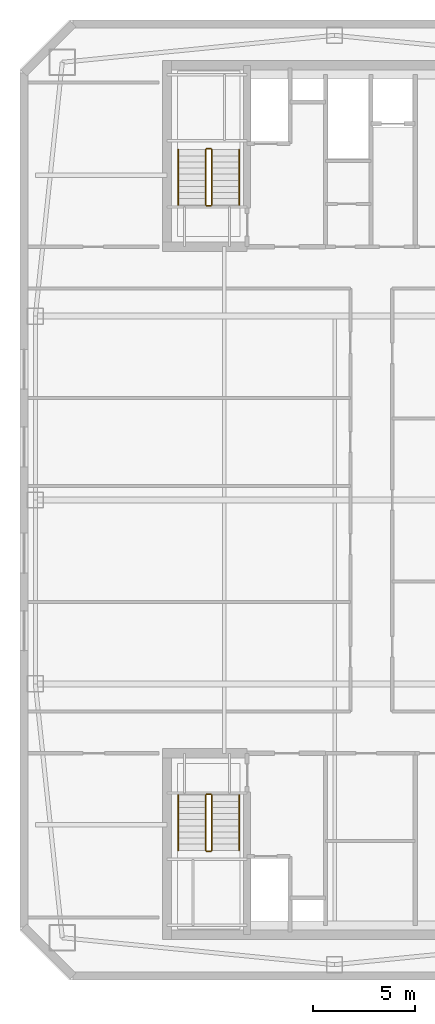
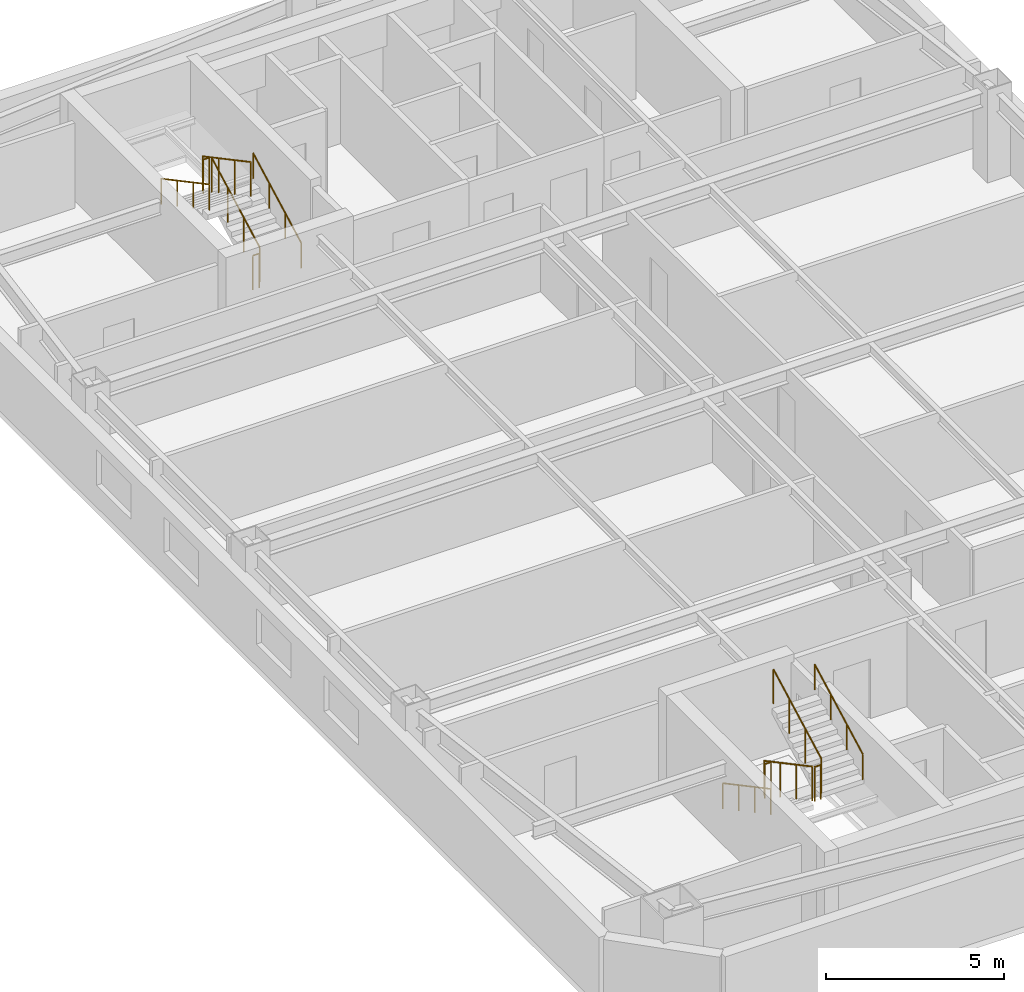
# One storey, part 5 of 5: 12 railings.
"""IFC4 building model written with IfcOpenShell, lengths in metres."""

from ifc_helpers import new_model, si_unit, direction, frame, origin, origin_2d, place, context, subcontext, project, spatial, circle, extrude, material, type_object, element, save


model = new_model("IFC4")

# Units and contexts
model_context = context("Model", 3, precision=1e-05, world=origin(), true_north=direction((0.0, 1.0)))
body_context = subcontext(model_context, "Body", "Model", "MODEL_VIEW")
ifc_project = project(units=[si_unit("LENGTHUNIT", "METRE"), si_unit("AREAUNIT", "SQUARE_METRE"), si_unit("VOLUMEUNIT", "CUBIC_METRE"), si_unit("PLANEANGLEUNIT", "RADIAN"), si_unit("MASSUNIT", "GRAM", prefix="KILO")], contexts=[model_context])

# Site, building, storey
site_placement = place(None, origin())
site = spatial("IfcSite", under=ifc_project, at=site_placement, CompositionType="ELEMENT")
building_placement = place(site_placement, origin())
building = spatial("IfcBuilding", under=site, at=building_placement, Name="Qiaolan Cultural Towers", CompositionType="ELEMENT")
storey_placement = place(building_placement, frame((0.0, 0.0, 253.60009765625)))
storey = spatial("IfcBuildingStorey", under=building, at=storey_placement, Name="L69", CompositionType="ELEMENT", Elevation=253.60009765625)

# Railings
ifc_material_1 = material(Name="Galvanized Painted Steel Stair Guardrail", Category="steel")
railing_type_1 = type_object("IfcRailingType", Name="RL-STAIR-GRD", PredefinedType="GUARDRAIL", material=ifc_material_1)
railing_1_placement = place(storey_placement, frame((23.68994140625, 19.550048828125, 0.159912109375)))
element("IfcRailing", 1, at=railing_1_placement, inside=storey, type_object=railing_type_1, Name="L69 ST-W1 stair guard 1", PredefinedType="GUARDRAIL", context=body_context, shape_type="SweptSolid", body=[
    extrude(circle(Radius=0.02392578125, at=origin_2d()), frame((0.0, 0.0, 1.17578125), z_axis=(0.0, -0.882357358376, 0.470579952952), x_axis=(1.0, 0.0, 0.0)), (0.0, 0.0, 1.0), 3.059814453125),
    extrude(circle(Radius=0.02099609375, at=origin_2d()), origin(), (0.0, 0.0, 1.0), 1.15185546875),
    extrude(circle(Radius=0.02099609375, at=origin_2d()), frame((0.0, -0.89990234375, 0.47998046875)), (0.0, 0.0, 1.0), 1.15185546875),
    extrude(circle(Radius=0.02099609375, at=origin_2d()), frame((0.0, -1.800048828125, 0.9599609375)), (0.0, 0.0, 1.0), 1.15185546875),
    extrude(circle(Radius=0.02099609375, at=origin_2d()), frame((0.0, -2.699951171875, 1.43994140625)), (0.0, 0.0, 1.0), 1.15185546875),
])
railing_2_placement = place(storey_placement, frame((23.739990234375, 16.800048828125, 1.599853515625)))
element("IfcRailing", 2, at=railing_2_placement, inside=storey, type_object=railing_type_1, Name="L69 ST-W1 stair guard 2", PredefinedType="GUARDRAIL", context=body_context, shape_type="SweptSolid", body=[
    extrude(circle(Radius=0.02392578125, at=origin_2d()), frame((0.0, 0.0, 1.17578125), z_axis=(1.0, 0.0, 0.0), x_axis=(0.0, 1.0, 0.0)), (0.0, 0.0, 1.0), 0.199951171875),
    extrude(circle(Radius=0.02099609375, at=origin_2d()), origin(), (0.0, 0.0, 1.0), 1.15185546875),
    extrude(circle(Radius=0.02099609375, at=origin_2d()), frame((0.199951171875, 0.0, 0.0)), (0.0, 0.0, 1.0), 1.15185546875),
])
railing_3_placement = place(storey_placement, frame((23.989990234375, 16.85009765625, 1.760009765625)))
element("IfcRailing", 3, at=railing_3_placement, inside=storey, type_object=railing_type_1, Name="L69 ST-W1 stair guard 3", PredefinedType="GUARDRAIL", context=body_context, shape_type="SweptSolid", body=[
    extrude(circle(Radius=0.02392578125, at=origin_2d()), frame((0.0, 0.0, 1.17578125), z_axis=(0.0, 0.882357358376, 0.470579952952), x_axis=(-1.0, 0.0, 0.0)), (0.0, 0.0, 1.0), 3.059814453125),
    extrude(circle(Radius=0.02099609375, at=origin_2d()), origin(), (0.0, 0.0, 1.0), 1.15185546875),
    extrude(circle(Radius=0.02099609375, at=origin_2d()), frame((0.0, 0.89990234375, 0.47998046875)), (0.0, 0.0, 1.0), 1.15185546875),
    extrude(circle(Radius=0.02099609375, at=origin_2d()), frame((0.0, 1.800048828125, 0.9599609375)), (0.0, 0.0, 1.0), 1.15185546875),
    extrude(circle(Radius=0.02099609375, at=origin_2d()), frame((0.0, 2.699951171875, 1.43994140625)), (0.0, 0.0, 1.0), 1.15185546875),
])
railing_4_placement = place(storey_placement, frame((23.739990234375, 19.60009765625, 0.0)))
element("IfcRailing", 4, at=railing_4_placement, inside=storey, type_object=railing_type_1, Name="L69 ST-W1 stair guard 4", PredefinedType="GUARDRAIL", context=body_context, shape_type="SweptSolid", body=[
    extrude(circle(Radius=0.02392578125, at=origin_2d()), frame((0.0, 0.0, 1.17578125), z_axis=(1.0, 0.0, 0.0), x_axis=(0.0, 1.0, 0.0)), (0.0, 0.0, 1.0), 0.199951171875),
    extrude(circle(Radius=0.02099609375, at=origin_2d()), origin(), (0.0, 0.0, 1.0), 1.15185546875),
    extrude(circle(Radius=0.02099609375, at=origin_2d()), frame((0.199951171875, 0.0, 0.0)), (0.0, 0.0, 1.0), 1.15185546875),
])
railing_5_placement = place(storey_placement, frame((23.989990234375, 48.449951171875, 0.159912109375)))
element("IfcRailing", 5, at=railing_5_placement, inside=storey, type_object=railing_type_1, Name="L69 ST-W2 stair guard 1", PredefinedType="GUARDRAIL", context=body_context, shape_type="SweptSolid", body=[
    extrude(circle(Radius=0.02392578125, at=origin_2d()), frame((0.0, 0.0, 1.17578125), z_axis=(0.0, 0.882357358376, 0.470579952952), x_axis=(-1.0, 0.0, 0.0)), (0.0, 0.0, 1.0), 3.059814453125),
    extrude(circle(Radius=0.02099609375, at=origin_2d()), origin(), (0.0, 0.0, 1.0), 1.15185546875),
    extrude(circle(Radius=0.02099609375, at=origin_2d()), frame((0.0, 0.89990234375, 0.47998046875)), (0.0, 0.0, 1.0), 1.15185546875),
    extrude(circle(Radius=0.02099609375, at=origin_2d()), frame((0.0, 1.800048828125, 0.9599609375)), (0.0, 0.0, 1.0), 1.15185546875),
    extrude(circle(Radius=0.02099609375, at=origin_2d()), frame((0.0, 2.699951171875, 1.43994140625)), (0.0, 0.0, 1.0), 1.15185546875),
])
railing_6_placement = place(storey_placement, frame((23.93994140625, 51.199951171875, 1.599853515625)))
element("IfcRailing", 6, at=railing_6_placement, inside=storey, type_object=railing_type_1, Name="L69 ST-W2 stair guard 2", PredefinedType="GUARDRAIL", context=body_context, shape_type="SweptSolid", body=[
    extrude(circle(Radius=0.02392578125, at=origin_2d()), frame((0.0, 0.0, 1.17578125), z_axis=(-1.0, 0.0, 0.0), x_axis=(0.0, -1.0, 0.0)), (0.0, 0.0, 1.0), 0.199951171875),
    extrude(circle(Radius=0.02099609375, at=origin_2d()), origin(), (0.0, 0.0, 1.0), 1.15185546875),
    extrude(circle(Radius=0.02099609375, at=origin_2d()), frame((-0.199951171875, 0.0, 0.0)), (0.0, 0.0, 1.0), 1.15185546875),
])
railing_7_placement = place(storey_placement, frame((23.68994140625, 51.14990234375, 1.760009765625)))
element("IfcRailing", 7, at=railing_7_placement, inside=storey, type_object=railing_type_1, Name="L69 ST-W2 stair guard 3", PredefinedType="GUARDRAIL", context=body_context, shape_type="SweptSolid", body=[
    extrude(circle(Radius=0.02392578125, at=origin_2d()), frame((0.0, 0.0, 1.17578125), z_axis=(0.0, -0.882357358376, 0.470579952952), x_axis=(1.0, 0.0, 0.0)), (0.0, 0.0, 1.0), 3.059814453125),
    extrude(circle(Radius=0.02099609375, at=origin_2d()), origin(), (0.0, 0.0, 1.0), 1.15185546875),
    extrude(circle(Radius=0.02099609375, at=origin_2d()), frame((0.0, -0.89990234375, 0.47998046875)), (0.0, 0.0, 1.0), 1.15185546875),
    extrude(circle(Radius=0.02099609375, at=origin_2d()), frame((0.0, -1.800048828125, 0.9599609375)), (0.0, 0.0, 1.0), 1.15185546875),
    extrude(circle(Radius=0.02099609375, at=origin_2d()), frame((0.0, -2.699951171875, 1.43994140625)), (0.0, 0.0, 1.0), 1.15185546875),
])
railing_8_placement = place(storey_placement, frame((23.93994140625, 48.39990234375, 0.0)))
element("IfcRailing", 8, at=railing_8_placement, inside=storey, type_object=railing_type_1, Name="L69 ST-W2 stair guard 4", PredefinedType="GUARDRAIL", context=body_context, shape_type="SweptSolid", body=[
    extrude(circle(Radius=0.02392578125, at=origin_2d()), frame((0.0, 0.0, 1.17578125), z_axis=(-1.0, 0.0, 0.0), x_axis=(0.0, -1.0, 0.0)), (0.0, 0.0, 1.0), 0.199951171875),
    extrude(circle(Radius=0.02099609375, at=origin_2d()), origin(), (0.0, 0.0, 1.0), 1.15185546875),
    extrude(circle(Radius=0.02099609375, at=origin_2d()), frame((-0.199951171875, 0.0, 0.0)), (0.0, 0.0, 1.0), 1.15185546875),
])
ifc_material_2 = material(Name="Stainless Steel S30408 Tubular Handrail", Category="steel")
railing_type_2 = type_object("IfcRailingType", Name="RL-STAIR-HR", PredefinedType="HANDRAIL", material=ifc_material_2)
railing_9_placement = place(storey_placement, frame((22.35009765625, 19.550048828125, 0.159912109375)))
element("IfcRailing", 9, at=railing_9_placement, inside=storey, type_object=railing_type_2, Name="L69 ST-W1 stair handrail 1", PredefinedType="HANDRAIL", context=body_context, shape_type="SweptSolid", body=[
    extrude(circle(Radius=0.02392578125, at=origin_2d()), frame((0.0, 0.0, 0.8759765625), z_axis=(0.0, -0.882357358376, 0.470579952952), x_axis=(1.0, 0.0, 0.0)), (0.0, 0.0, 1.0), 3.059814453125),
    extrude(circle(Radius=0.02099609375, at=origin_2d()), origin(), (0.0, 0.0, 1.0), 0.851806640625),
    extrude(circle(Radius=0.02099609375, at=origin_2d()), frame((0.0, -0.89990234375, 0.47998046875)), (0.0, 0.0, 1.0), 0.851806640625),
    extrude(circle(Radius=0.02099609375, at=origin_2d()), frame((0.0, -1.800048828125, 0.9599609375)), (0.0, 0.0, 1.0), 0.851806640625),
    extrude(circle(Radius=0.02099609375, at=origin_2d()), frame((0.0, -2.699951171875, 1.43994140625)), (0.0, 0.0, 1.0), 0.851806640625),
])
for number, where, name in (
    (10, (25.330078125, 16.85009765625, 1.760009765625), "L69 ST-W1 stair handrail 2"),
    (11, (25.330078125, 48.449951171875, 0.159912109375), "L69 ST-W2 stair handrail 1"),
):
    element("IfcRailing", number, at=place(storey_placement, frame(where)), inside=storey, type_object=railing_type_2, Name=name, PredefinedType="HANDRAIL", context=body_context, shape_type="SweptSolid", body=[
        extrude(circle(Radius=0.02392578125, at=origin_2d()), frame((0.0, 0.0, 0.8759765625), z_axis=(0.0, 0.882357358376, 0.470579952952), x_axis=(-1.0, 0.0, 0.0)), (0.0, 0.0, 1.0), 3.059814453125),
        extrude(circle(Radius=0.02099609375, at=origin_2d()), origin(), (0.0, 0.0, 1.0), 0.851806640625),
        extrude(circle(Radius=0.02099609375, at=origin_2d()), frame((0.0, 0.89990234375, 0.47998046875)), (0.0, 0.0, 1.0), 0.851806640625),
        extrude(circle(Radius=0.02099609375, at=origin_2d()), frame((0.0, 1.800048828125, 0.9599609375)), (0.0, 0.0, 1.0), 0.851806640625),
        extrude(circle(Radius=0.02099609375, at=origin_2d()), frame((0.0, 2.699951171875, 1.43994140625)), (0.0, 0.0, 1.0), 0.851806640625),
    ])
railing_10_placement = place(storey_placement, frame((22.35009765625, 51.14990234375, 1.760009765625)))
element("IfcRailing", 12, at=railing_10_placement, inside=storey, type_object=railing_type_2, Name="L69 ST-W2 stair handrail 2", PredefinedType="HANDRAIL", context=body_context, shape_type="SweptSolid", body=[
    extrude(circle(Radius=0.02392578125, at=origin_2d()), frame((0.0, 0.0, 0.8759765625), z_axis=(0.0, -0.882357358376, 0.470579952952), x_axis=(1.0, 0.0, 0.0)), (0.0, 0.0, 1.0), 3.059814453125),
    extrude(circle(Radius=0.02099609375, at=origin_2d()), origin(), (0.0, 0.0, 1.0), 0.851806640625),
    extrude(circle(Radius=0.02099609375, at=origin_2d()), frame((0.0, -0.89990234375, 0.47998046875)), (0.0, 0.0, 1.0), 0.851806640625),
    extrude(circle(Radius=0.02099609375, at=origin_2d()), frame((0.0, -1.800048828125, 0.9599609375)), (0.0, 0.0, 1.0), 0.851806640625),
    extrude(circle(Radius=0.02099609375, at=origin_2d()), frame((0.0, -2.699951171875, 1.43994140625)), (0.0, 0.0, 1.0), 0.851806640625),
])

save(model, "model.ifc")
